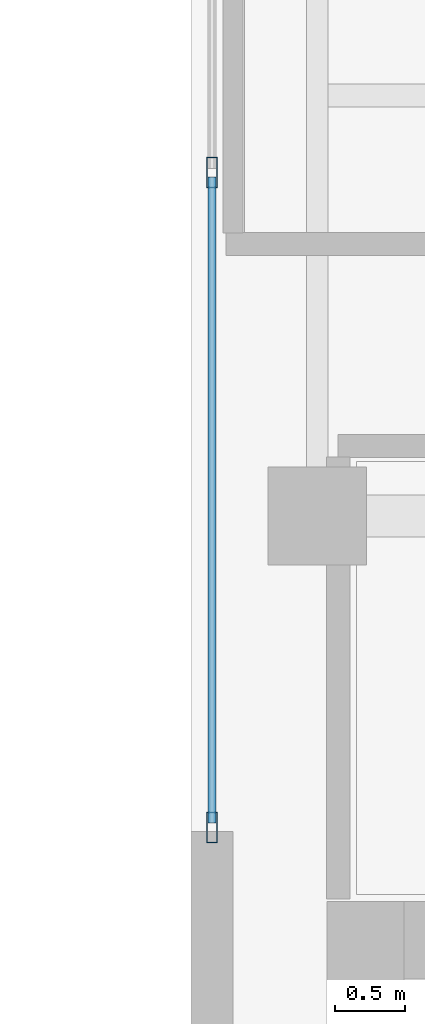
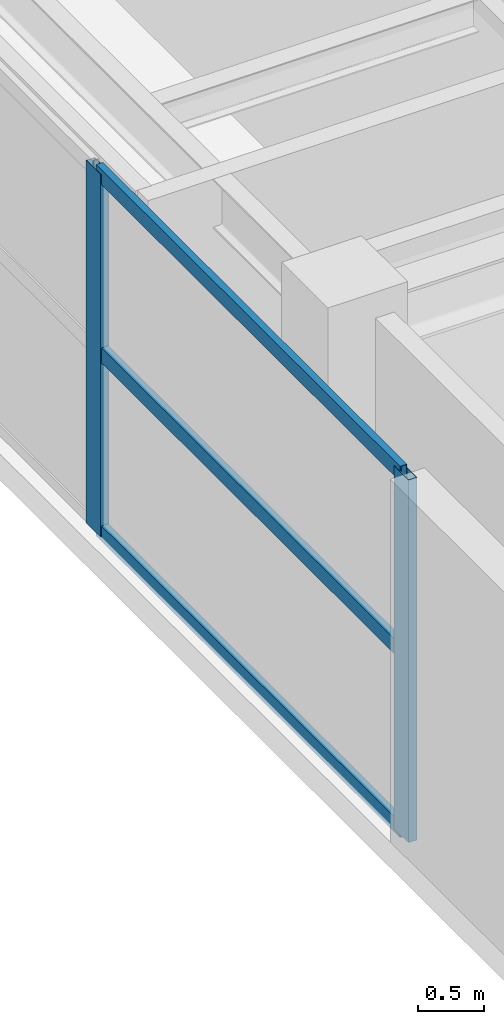
# One storey, part 10 of 24: 5 members, 1 element without a shape of its own.
"""IFC4 building model written with IfcOpenShell, lengths in metres."""

from ifc_helpers import new_model, si_unit, direction, frame, origin, origin_2d, place, context, subcontext, project, spatial, hollow_rectangle, extrude, source, transform, mapped, material, layer, layer_set, material_profile, profile_set, type_object, element, aggregate, save


model = new_model("IFC4")

# Units and contexts
model_context = context("Model", 3, precision=1e-05, world=origin(), true_north=direction((0.0, 1.0)))
body_context = subcontext(model_context, "Body", "Model", "MODEL_VIEW")
ifc_project = project(units=[si_unit("LENGTHUNIT", "METRE"), si_unit("AREAUNIT", "SQUARE_METRE"), si_unit("VOLUMEUNIT", "CUBIC_METRE"), si_unit("PLANEANGLEUNIT", "RADIAN"), si_unit("MASSUNIT", "GRAM", prefix="KILO")], contexts=[model_context])

# Site, building, storey
site_placement = place(None, origin())
site = spatial("IfcSite", under=ifc_project, at=site_placement, CompositionType="ELEMENT")
building_placement = place(site_placement, origin())
building = spatial("IfcBuilding", under=site, at=building_placement, Name="Khoralis Quay Care Tower", CompositionType="ELEMENT")
storey_placement = place(building_placement, frame((0.0, 0.0, 234.89990234375)))
storey = spatial("IfcBuildingStorey", under=building, at=storey_placement, Name="L61", CompositionType="ELEMENT", Elevation=234.89990234375)

# Curtain wall, members
ifc_material = material(Name="Pale anodised aluminium", Category="aluminium")
ifc_layer = layer(ifc_material, 0.18994140625)
ifc_layer_set = layer_set([ifc_layer], Name="Pale anodised aluminium")
curtain_wall_type = type_object("IfcCurtainWallType", Name="CW-SYS-PORTAL", PredefinedType="NOTDEFINED", material=ifc_layer_set)
curtain_wall_placement = place(storey_placement, origin())
curtain_wall = element("IfcCurtainWall", 1, at=curtain_wall_placement, inside=storey, type_object=curtain_wall_type, Name="L61 Unitised Curtain Wall CW-VP-L61-P2-N", PredefinedType="NOTDEFINED")
ifc_material_profile_1 = material_profile(ifc_material, hollow_rectangle(XDim=0.06005859375, YDim=0.139892578125, WallThickness=0.00390625, at=origin_2d()), Name="Pale anodised aluminium")
ifc_profile_set_1 = profile_set([ifc_material_profile_1], Name="Pale anodised aluminium")
member_type_1 = type_object("IfcMemberType", Name="CW-TRN-140", PredefinedType="USERDEFINED", material=ifc_profile_set_1)
shared_shape_1 = source(origin(), body_context, "Body", "SweptSolid", [
    extrude(hollow_rectangle(XDim=0.06005859375, YDim=0.139892578125, WallThickness=0.00390625, at=origin_2d()), origin(), (0.0, 0.0, 1.0), 4.60986328125),
])
member_1_placement = place(storey_placement, frame((30.14990234375, 27.81005859375, 0.030029296875), z_axis=(0.0, 1.0, 0.0), x_axis=(-1.0, 0.0, 0.0)))
member_1 = element("IfcMember", 2, at=member_1_placement, type_object=member_type_1, Name="CW4 transom 1.1", ObjectType="TRANSOM", PredefinedType="USERDEFINED", context=body_context, shape_type="MappedRepresentation", body=[
    mapped(shared_shape_1, transform((0.0, 0.0, 0.0), scale=1.0)),
])
member_2_placement = place(storey_placement, frame((30.14990234375, 27.81005859375, 1.68017578125), z_axis=(0.0, 1.0, 0.0), x_axis=(-1.0, 0.0, 0.0)))
member_2 = element("IfcMember", 3, at=member_2_placement, type_object=member_type_1, Name="CW4 transom 1.2", ObjectType="TRANSOM", PredefinedType="USERDEFINED", context=body_context, shape_type="MappedRepresentation", body=[
    mapped(shared_shape_1, transform((0.0, 0.0, 0.0), scale=1.0)),
])
member_3_placement = place(storey_placement, frame((30.14990234375, 27.81005859375, 3.330078125), z_axis=(0.0, 1.0, 0.0), x_axis=(-1.0, 0.0, 0.0)))
member_3 = element("IfcMember", 4, at=member_3_placement, type_object=member_type_1, Name="CW4 transom 1.3", ObjectType="TRANSOM", PredefinedType="USERDEFINED", context=body_context, shape_type="MappedRepresentation", body=[
    mapped(shared_shape_1, transform((0.0, 0.0, 0.0), scale=1.0)),
])
ifc_material_profile_2 = material_profile(ifc_material, hollow_rectangle(XDim=0.074951171875, YDim=0.219970703125, WallThickness=0.00390625, at=origin_2d()), Name="Pale anodised aluminium")
ifc_profile_set_2 = profile_set([ifc_material_profile_2], Name="Pale anodised aluminium")
member_type_2 = type_object("IfcMemberType", Name="CW-MUL-220", PredefinedType="MULLION", material=ifc_profile_set_2)
shared_shape_2 = source(origin(), body_context, "Body", "SweptSolid", [
    extrude(hollow_rectangle(XDim=0.074951171875, YDim=0.219970703125, WallThickness=0.00390625, at=origin_2d()), origin(), (0.0, 0.0, 1.0), 3.360107421875),
])
member_4_placement = place(storey_placement, frame((30.14990234375, 27.780029296875, 0.0), z_axis=(0.0, 0.0, 1.0), x_axis=(-1.0, 0.0, 0.0)))
member_4 = element("IfcMember", 5, at=member_4_placement, type_object=member_type_2, Name="CW4 mullion 1", PredefinedType="MULLION", context=body_context, shape_type="MappedRepresentation", body=[
    mapped(shared_shape_2, transform((0.0, 0.0, 0.0), scale=1.0)),
])
member_5_placement = place(storey_placement, frame((30.14990234375, 32.449951171875, 0.0), z_axis=(0.0, 0.0, 1.0), x_axis=(-1.0, 0.0, 0.0)))
member_5 = element("IfcMember", 6, at=member_5_placement, type_object=member_type_2, Name="CW4 mullion 2", PredefinedType="MULLION", context=body_context, shape_type="MappedRepresentation", body=[
    mapped(shared_shape_2, transform((0.0, 0.0, 0.0), scale=1.0)),
])
aggregate(curtain_wall, [member_4, member_5, member_1, member_2, member_3])

save(model, "model.ifc")
